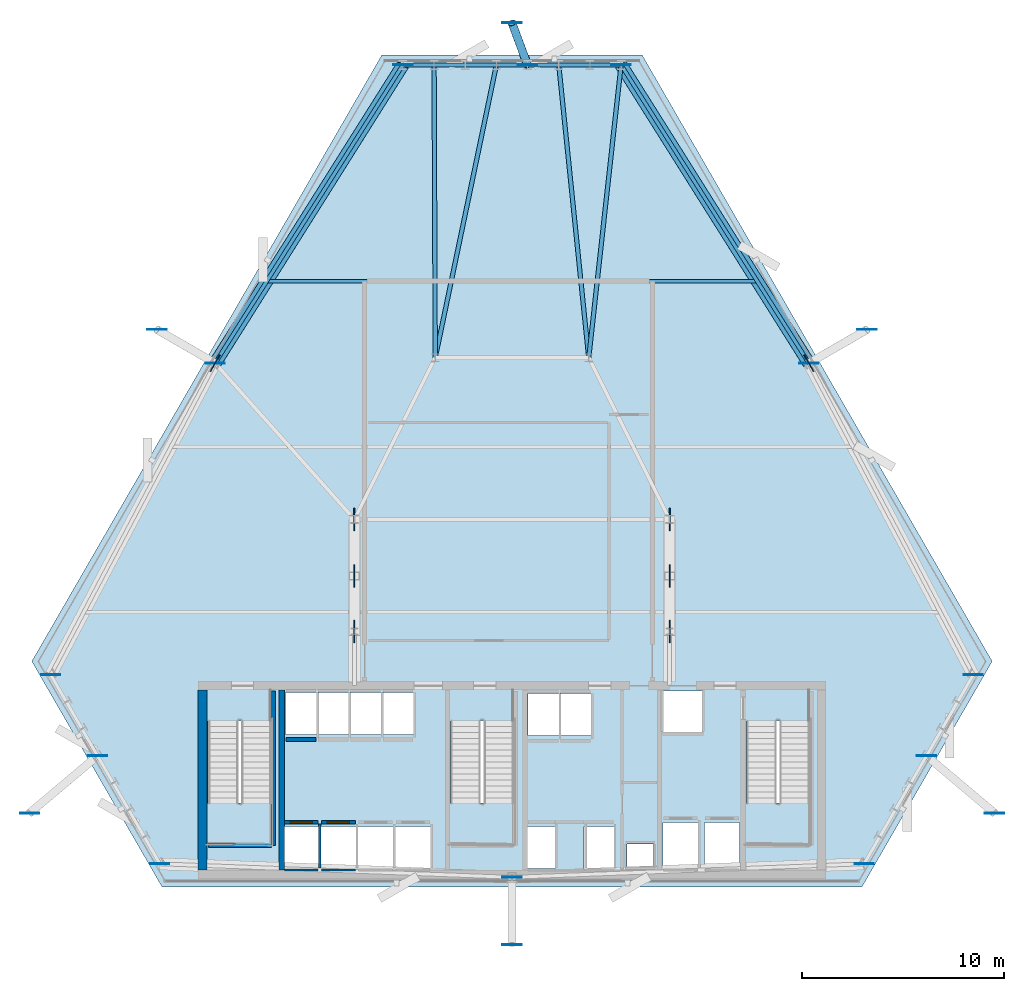
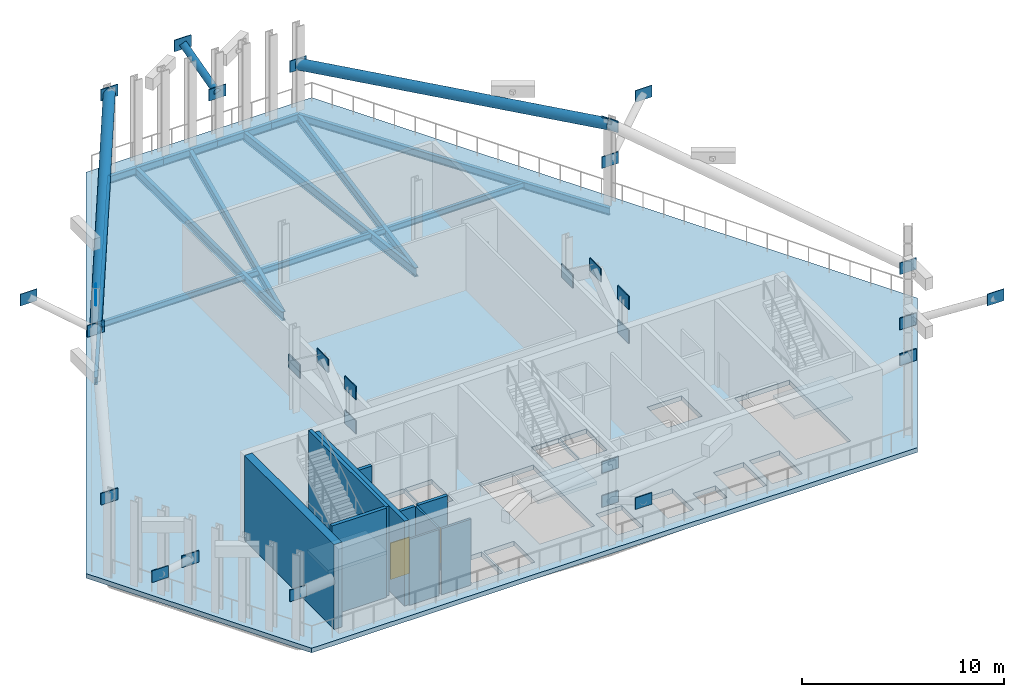
# One storey, part 3 of 11: 29 plates, 14 beams, 10 walls, 4 slabs, 3 members, 2 doors, 2 openings, 3 elements without a shape of their own.
"""IFC4 building model written with IfcOpenShell, lengths in metres."""

from ifc_helpers import new_model, si_unit, direction, frame, frame_2d, origin, origin_2d, place, context, subcontext, project, spatial, polyline, rectangle, hollow_circle, i_section, outline, extrude, material, layer, layer_set, material_profile, profile_set, type_object, element, fill, aggregate, save


model = new_model("IFC4")

# Units and contexts
model_context = context("Model", 3, precision=1e-05, world=origin(), true_north=direction((0.0, 1.0)))
body_context = subcontext(model_context, "Body", "Model", "MODEL_VIEW")
ifc_project = project(units=[si_unit("LENGTHUNIT", "METRE"), si_unit("AREAUNIT", "SQUARE_METRE"), si_unit("VOLUMEUNIT", "CUBIC_METRE"), si_unit("PLANEANGLEUNIT", "RADIAN"), si_unit("MASSUNIT", "GRAM", prefix="KILO")], contexts=[model_context])

# Site, building, storey
site_placement = place(None, origin())
site = spatial("IfcSite", under=ifc_project, at=site_placement, CompositionType="ELEMENT")
building_placement = place(site_placement, origin())
building = spatial("IfcBuilding", under=site, at=building_placement, Name="Ndaravel Arena Tower", CompositionType="ELEMENT")
storey_placement = place(building_placement, frame((0.0, 0.0, 112.0)))
storey = spatial("IfcBuildingStorey", under=building, at=storey_placement, Name="L26", CompositionType="ELEMENT", Elevation=112.0)

# Beams
ifc_material_1 = material(Name="Steel S355", Category="steel")
ifc_material_profile_1 = material_profile(ifc_material_1, i_section(OverallWidth=0.210693359375, OverallDepth=0.53955078125, WebThickness=0.01171875, FlangeThickness=0.018798828125, FilletRadius=0.0126953125, at=origin_2d()), Name="UB 533x210x109")
ifc_profile_set_1 = profile_set([ifc_material_profile_1], Name="Steel S355")
beam_type_1 = type_object("IfcBeamType", Name="BM-GIRD-UB533", PredefinedType="BEAM", material=ifc_profile_set_1)
beam_1_placement = place(storey_placement, frame((47.401611328125, 45.7041015625, -0.5498046875), z_axis=(-0.1097539039, -0.993958792193, 0.0), x_axis=(0.993958792193, -0.1097539039, 0.0)))
element("IfcBeam", 1, at=beam_1_placement, inside=storey, type_object=beam_type_1, Name="L26 Radial Floor Girder FG-11", PredefinedType="BEAM", context=body_context, shape_type="SweptSolid", body=[
    extrude(i_section(OverallWidth=0.210693359375, OverallDepth=0.53955078125, WebThickness=0.01171875, FlangeThickness=0.018798828125, FilletRadius=0.0126953125, at=origin_2d()), origin(), (0.0, 0.0, 1.0), 14.59228515625),
])
beam_2_placement = place(storey_placement, frame((44.31494140625, 45.7041015625, -0.5498046875), z_axis=(0.101859333982, -0.994798811861, 0.0), x_axis=(0.994798811861, 0.101859333982, 0.0)))
element("IfcBeam", 2, at=beam_2_placement, inside=storey, type_object=beam_type_1, Name="L26 Radial Floor Girder FG-13", PredefinedType="BEAM", context=body_context, shape_type="SweptSolid", body=[
    extrude(i_section(OverallWidth=0.210693359375, OverallDepth=0.53955078125, WebThickness=0.01171875, FlangeThickness=0.018798828125, FilletRadius=0.0126953125, at=origin_2d()), origin(), (0.0, 0.0, 1.0), 14.580078125),
])
beam_3_placement = place(storey_placement, frame((41.228271484375, 45.7041015625, -0.5498046875), z_axis=(-0.204382585692, -0.978891086212, 0.0), x_axis=(0.978891086212, -0.204382585692, 0.0)))
element("IfcBeam", 3, at=beam_3_placement, inside=storey, type_object=beam_type_1, Name="L26 Radial Floor Girder FG-15", PredefinedType="BEAM", context=body_context, shape_type="SweptSolid", body=[
    extrude(i_section(OverallWidth=0.210693359375, OverallDepth=0.53955078125, WebThickness=0.01171875, FlangeThickness=0.018798828125, FilletRadius=0.0126953125, at=origin_2d()), origin(), (0.0, 0.0, 1.0), 14.81689453125),
])
beam_4_placement = place(storey_placement, frame((38.1416015625, 45.7041015625, -0.5498046875), z_axis=(0.00402292693, -0.999991907997, 0.0), x_axis=(0.999991907997, 0.00402292693, 0.0)))
element("IfcBeam", 4, at=beam_4_placement, inside=storey, type_object=beam_type_1, Name="L26 Radial Floor Girder FG-17", PredefinedType="BEAM", context=body_context, shape_type="SweptSolid", body=[
    extrude(i_section(OverallWidth=0.210693359375, OverallDepth=0.53955078125, WebThickness=0.01171875, FlangeThickness=0.018798828125, FilletRadius=0.0126953125, at=origin_2d()), origin(), (0.0, 0.0, 1.0), 14.504150390625),
])
ifc_material_2 = material(Name="Steel S355", Category="steel")
ifc_material_profile_2 = material_profile(ifc_material_2, i_section(OverallWidth=0.172119140625, OverallDepth=0.35791015625, WebThickness=0.008056640625, FlangeThickness=0.012939453125, FilletRadius=0.01025390625, at=origin_2d()), Name="UB 356x171x57")
ifc_profile_set_2 = profile_set([ifc_material_profile_2], Name="Steel S355")
beam_type_2 = type_object("IfcBeamType", Name="BM-JOIST-UB356", PredefinedType="JOIST", material=ifc_profile_set_2)
beam_5_placement = place(storey_placement, frame((29.85888671875, 35.0, -0.458984375), z_axis=(1.0, 0.0, 0.0), x_axis=(0.0, 1.0, 0.0)))
element("IfcBeam", 5, at=beam_5_placement, inside=storey, type_object=beam_type_2, Name="L26 Composite Floor Joist FJ-03", PredefinedType="JOIST", context=body_context, shape_type="SweptSolid", body=[
    extrude(i_section(OverallWidth=0.172119140625, OverallDepth=0.35791015625, WebThickness=0.008056640625, FlangeThickness=0.012939453125, FilletRadius=0.01025390625, at=origin_2d()), origin(), (0.0, 0.0, 1.0), 24.2822265625),
])
ifc_material_3 = material(Name="Steel S355", Category="steel")
ifc_material_profile_3 = material_profile(ifc_material_3, i_section(OverallWidth=0.18994140625, OverallDepth=0.449951171875, WebThickness=0.009521484375, FlangeThickness=0.0146484375, FilletRadius=0.02099609375, at=origin_2d()), Name="IPE 450")
ifc_profile_set_3 = profile_set([ifc_material_profile_3], Name="Steel S355")
beam_type_3 = type_object("IfcBeamType", Name="BM-SPAN-IPE450", PredefinedType="SPANDREL", material=ifc_profile_set_3)
beam_6_placement = place(storey_placement, frame((56.6982421875, 30.938232421875, -0.5048828125), z_axis=(-0.532796941141, 0.846243120806, 0.0), x_axis=(-0.846243120806, -0.532796941141, 0.0)))
element("IfcBeam", 6, at=beam_6_placement, inside=storey, type_object=beam_type_3, Name="L26 Perimeter Spandrel Beam SP-10", PredefinedType="SPANDREL", context=body_context, shape_type="SweptSolid", body=[
    extrude(i_section(OverallWidth=0.18994140625, OverallDepth=0.449951171875, WebThickness=0.009521484375, FlangeThickness=0.0146484375, FilletRadius=0.02099609375, at=origin_2d()), origin(), (0.0, 0.0, 1.0), 17.44873046875),
])
beam_7_placement = place(storey_placement, frame((47.401611328125, 45.7041015625, -0.5048828125), z_axis=(-1.0, 0.0, 0.0), x_axis=(0.0, -1.0, 0.0)))
element("IfcBeam", 7, at=beam_7_placement, inside=storey, type_object=beam_type_3, Name="L26 Perimeter Spandrel Beam SP-11", PredefinedType="SPANDREL", context=body_context, shape_type="SweptSolid", body=[
    extrude(i_section(OverallWidth=0.18994140625, OverallDepth=0.449951171875, WebThickness=0.009521484375, FlangeThickness=0.0146484375, FilletRadius=0.02099609375, at=origin_2d()), origin(), (0.0, 0.0, 1.0), 1.543212890625),
])
beam_8_placement = place(storey_placement, frame((45.8583984375, 45.7041015625, -0.5048828125), z_axis=(-1.0, 0.0, 0.0), x_axis=(0.0, -1.0, 0.0)))
element("IfcBeam", 8, at=beam_8_placement, inside=storey, type_object=beam_type_3, Name="L26 Perimeter Spandrel Beam SP-12", PredefinedType="SPANDREL", context=body_context, shape_type="SweptSolid", body=[
    extrude(i_section(OverallWidth=0.18994140625, OverallDepth=0.449951171875, WebThickness=0.009521484375, FlangeThickness=0.0146484375, FilletRadius=0.02099609375, at=origin_2d()), origin(), (0.0, 0.0, 1.0), 1.54345703125),
])
beam_9_placement = place(storey_placement, frame((44.31494140625, 45.7041015625, -0.5048828125), z_axis=(-1.0, 0.0, 0.0), x_axis=(0.0, -1.0, 0.0)))
element("IfcBeam", 9, at=beam_9_placement, inside=storey, type_object=beam_type_3, Name="L26 Perimeter Spandrel Beam SP-13", PredefinedType="SPANDREL", context=body_context, shape_type="SweptSolid", body=[
    extrude(i_section(OverallWidth=0.18994140625, OverallDepth=0.449951171875, WebThickness=0.009521484375, FlangeThickness=0.0146484375, FilletRadius=0.02099609375, at=origin_2d()), origin(), (0.0, 0.0, 1.0), 1.543212890625),
])
beam_10_placement = place(storey_placement, frame((42.771728515625, 45.7041015625, -0.5048828125), z_axis=(-1.0, 0.0, 0.0), x_axis=(0.0, -1.0, 0.0)))
element("IfcBeam", 10, at=beam_10_placement, inside=storey, type_object=beam_type_3, Name="L26 Perimeter Spandrel Beam SP-14", PredefinedType="SPANDREL", context=body_context, shape_type="SweptSolid", body=[
    extrude(i_section(OverallWidth=0.18994140625, OverallDepth=0.449951171875, WebThickness=0.009521484375, FlangeThickness=0.0146484375, FilletRadius=0.02099609375, at=origin_2d()), origin(), (0.0, 0.0, 1.0), 1.54345703125),
])
beam_11_placement = place(storey_placement, frame((41.228271484375, 45.7041015625, -0.5048828125), z_axis=(-1.0, 0.0, 0.0), x_axis=(0.0, -1.0, 0.0)))
element("IfcBeam", 11, at=beam_11_placement, inside=storey, type_object=beam_type_3, Name="L26 Perimeter Spandrel Beam SP-15", PredefinedType="SPANDREL", context=body_context, shape_type="SweptSolid", body=[
    extrude(i_section(OverallWidth=0.18994140625, OverallDepth=0.449951171875, WebThickness=0.009521484375, FlangeThickness=0.0146484375, FilletRadius=0.02099609375, at=origin_2d()), origin(), (0.0, 0.0, 1.0), 1.543212890625),
])
beam_12_placement = place(storey_placement, frame((39.68505859375, 45.7041015625, -0.5048828125), z_axis=(-1.0, 0.0, 0.0), x_axis=(0.0, -1.0, 0.0)))
element("IfcBeam", 12, at=beam_12_placement, inside=storey, type_object=beam_type_3, Name="L26 Perimeter Spandrel Beam SP-16", PredefinedType="SPANDREL", context=body_context, shape_type="SweptSolid", body=[
    extrude(i_section(OverallWidth=0.18994140625, OverallDepth=0.449951171875, WebThickness=0.009521484375, FlangeThickness=0.0146484375, FilletRadius=0.02099609375, at=origin_2d()), origin(), (0.0, 0.0, 1.0), 1.54345703125),
])
beam_13_placement = place(storey_placement, frame((38.1416015625, 45.7041015625, -0.5048828125), z_axis=(-1.0, 0.0, 0.0), x_axis=(0.0, -1.0, 0.0)))
element("IfcBeam", 13, at=beam_13_placement, inside=storey, type_object=beam_type_3, Name="L26 Perimeter Spandrel Beam SP-17", PredefinedType="SPANDREL", context=body_context, shape_type="SweptSolid", body=[
    extrude(i_section(OverallWidth=0.18994140625, OverallDepth=0.449951171875, WebThickness=0.009521484375, FlangeThickness=0.0146484375, FilletRadius=0.02099609375, at=origin_2d()), origin(), (0.0, 0.0, 1.0), 1.543212890625),
])
beam_14_placement = place(storey_placement, frame((36.598388671875, 45.7041015625, -0.5048828125), z_axis=(-0.532796941141, -0.846243120806, 0.0), x_axis=(0.846243120806, -0.532796941141, 0.0)))
element("IfcBeam", 14, at=beam_14_placement, inside=storey, type_object=beam_type_3, Name="L26 Perimeter Spandrel Beam SP-18", PredefinedType="SPANDREL", context=body_context, shape_type="SweptSolid", body=[
    extrude(i_section(OverallWidth=0.18994140625, OverallDepth=0.449951171875, WebThickness=0.009521484375, FlangeThickness=0.0146484375, FilletRadius=0.02099609375, at=origin_2d()), origin(), (0.0, 0.0, 1.0), 17.44873046875),
])

# Members
ifc_material_4 = material(Name="Steel S460", Category="steel")
ifc_material_profile_4 = material_profile(ifc_material_4, hollow_circle(Radius=0.304931640625, WallThickness=0.030029296875, at=origin_2d()), Name="CHS 610x30")
ifc_profile_set_4 = profile_set([ifc_material_profile_4], Name="Steel S460")
member_type_1 = type_object("IfcMemberType", Name="MEM-BT-DIAG1", PredefinedType="BRACE", material=ifc_profile_set_4)
for number, where, z_axis, x_axis, name in (
    (15, (56.6982421875, 30.938232421875, 4.739990234375), (-0.5291219891, 0.840406182483, -0.117249175242), (-0.846243120806, -0.532796941141, 0.0), "Belt Truss BT-1 Diagonal 10"),
    (16, (36.598388671875, 45.7041015625, 4.739990234375), (-0.5291219891, -0.840406182483, -0.117249175242), (0.846243120806, -0.532796941141, 0.0), "Belt Truss BT-1 Diagonal 18"),
):
    element("IfcMember", number, at=place(storey_placement, frame(where, z_axis=z_axis, x_axis=x_axis)), inside=storey, type_object=member_type_1, Name=name, PredefinedType="BRACE", context=body_context, shape_type="SweptSolid", body=[
        extrude(hollow_circle(Radius=0.304931640625, WallThickness=0.030029296875, at=origin_2d()), origin(), (0.0, 0.0, 1.0), 17.56982421875),
    ])
ifc_material_5 = material(Name="Steel S460", Category="steel")
ifc_material_profile_5 = material_profile(ifc_material_5, hollow_circle(Radius=0.203125, WallThickness=0.01611328125, at=origin_2d()), Name="CHS 406.4x16")
ifc_profile_set_5 = profile_set([ifc_material_profile_5], Name="Steel S460")
member_type_2 = type_object("IfcMemberType", Name="MEM-STAR-STRUT2", PredefinedType="STRUT", material=ifc_profile_set_5)
member_placement = place(storey_placement, frame((42.771728515625, 45.7041015625, 2.580078125), z_axis=(-0.25895566206, 0.69789411107, 0.66774678945), x_axis=(-0.937540168515, -0.347877036351, 0.0)))
element("IfcMember", 17, at=member_placement, inside=storey, type_object=member_type_2, Name="L27 Star Soffit Raking Strut SS-5", PredefinedType="STRUT", context=body_context, shape_type="SweptSolid", body=[
    extrude(hollow_circle(Radius=0.203125, WallThickness=0.01611328125, at=origin_2d()), origin(), (0.0, 0.0, 1.0), 2.980224609375),
])

# Plates
ifc_material_6 = material(Name="Steel S460", Category="steel")
ifc_layer_1 = layer(ifc_material_6, 0.044921875)
ifc_layer_set_1 = layer_set([ifc_layer_1], Name="Steel S460")
plate_type_1 = type_object("IfcPlateType", Name="PLT-GUSSET-BN1", PredefinedType="USERDEFINED", material=ifc_layer_set_1)
for number, where, z_axis, x_axis, name in (
    (18, (42.0, 5.47998046875, 4.39013671875), (0.0, 0.0, 1.0), (1.0, 0.0, 0.0), "Belt Truss Node Gusset BN-1.01"),
    (19, (56.6982421875, 30.938232421875, 4.39013671875), (0.0, 0.0, 1.0), (-0.5, 0.866025403784, 0.0), "Belt Truss Node Gusset BN-1.10"),
    (20, (27.3017578125, 30.938232421875, 4.39013671875), (0.0, 0.0, 1.0), (0.5, 0.866025403784, 0.0), "Belt Truss Node Gusset BN-1.19"),
    (21, (42.0, 5.47998046875, 2.330078125), (0.0, 0.0, 1.0), (1.0, 0.0, 0.0), "L26 Brace End Gusset Plate EGP-021"),
    (22, (59.435791015625, 6.148193359375, 4.39013671875), (0.0, 0.0, 1.0), (1.0, 0.0, 0.0), "L26 Brace End Gusset Plate EGP-022"),
    (23, (64.83740234375, 15.50439453125, 2.330078125), (0.0, 0.0, 1.0), (1.0, 0.0, 0.0), "L26 Brace End Gusset Plate EGP-023"),
    (24, (47.401611328125, 45.7041015625, 2.330078125), (0.0, 0.0, 1.0), (1.0, 0.0, 0.0), "L26 Brace End Gusset Plate EGP-024"),
    (25, (36.598388671875, 45.7041015625, 4.39013671875), (0.0, 0.0, 1.0), (1.0, 0.0, 0.0), "L26 Brace End Gusset Plate EGP-025"),
    (26, (27.3017578125, 30.938232421875, 2.330078125), (0.0, 0.0, 1.0), (1.0, 0.0, 0.0), "L26 Brace End Gusset Plate EGP-026"),
    (27, (19.16259765625, 15.50439453125, 4.39013671875), (0.0, 0.0, 1.0), (1.0, 0.0, 0.0), "L26 Brace End Gusset Plate EGP-027"),
    (28, (24.564208984375, 6.148193359375, 2.330078125), (0.0, 0.0, 1.0), (1.0, 0.0, 0.0), "L26 Brace End Gusset Plate EGP-028"),
    (29, (21.4775390625, 11.49462890625, 2.22998046875), (0.0, 0.0, 1.0), (1.0, 0.0, 0.0), "L26 Brace End Gusset Plate EGP-029"),
    (30, (18.113525390625, 8.661376953125, 4.22021484375), (0.0, 0.0, 1.0), (1.0, 0.0, 0.0), "L26 Brace End Gusset Plate EGP-030"),
    (31, (42.0, 2.14990234375, 4.22021484375), (0.0, 0.0, 1.0), (1.0, 0.0, 0.0), "L26 Brace End Gusset Plate EGP-031"),
    (32, (62.5224609375, 11.49462890625, 2.22998046875), (0.0, 0.0, 1.0), (1.0, 0.0, 0.0), "L26 Brace End Gusset Plate EGP-032"),
    (33, (65.886474609375, 8.661376953125, 4.22021484375), (0.0, 0.0, 1.0), (1.0, 0.0, 0.0), "L26 Brace End Gusset Plate EGP-033"),
    (34, (56.6982421875, 30.938232421875, 2.22998046875), (0.0, 0.0, 1.0), (1.0, 0.0, 0.0), "L26 Brace End Gusset Plate EGP-034"),
    (35, (59.582275390625, 32.603271484375, 4.22021484375), (0.0, 0.0, 1.0), (1.0, 0.0, 0.0), "L26 Brace End Gusset Plate EGP-035"),
    (36, (42.771728515625, 45.7041015625, 2.22998046875), (0.0, 0.0, 1.0), (1.0, 0.0, 0.0), "L26 Brace End Gusset Plate EGP-036"),
    (37, (42.0, 47.783935546875, 4.22021484375), (0.0, 0.0, 1.0), (1.0, 0.0, 0.0), "L26 Brace End Gusset Plate EGP-037"),
    (38, (24.417724609375, 32.603271484375, 4.22021484375), (0.0, 0.0, 1.0), (1.0, 0.0, 0.0), "L26 Brace End Gusset Plate EGP-038"),
):
    element("IfcPlate", number, at=place(storey_placement, frame(where, z_axis=z_axis, x_axis=x_axis)), inside=storey, type_object=plate_type_1, Name=name, ObjectType="GUSSET_PLATE", PredefinedType="USERDEFINED", context=body_context, shape_type="SweptSolid", body=[
        extrude(rectangle(XDim=0.949951171875, YDim=0.044921875, at=origin_2d()), origin(), (0.0, 0.0, 1.0), 0.699951171875),
    ])
ifc_material_7 = material(Name="Steel S460", Category="steel")
ifc_layer_2 = layer(ifc_material_7, 0.050048828125)
ifc_layer_set_2 = layer_set([ifc_layer_2], Name="Steel S460")
plate_type_2 = type_object("IfcPlateType", Name="PLT-GUSSET-ON1", PredefinedType="USERDEFINED", material=ifc_layer_set_2)
for number, where, z_axis, x_axis, name in (
    (39, (34.199951171875, 17.64990234375, 4.33984375), (0.0, 0.0, 1.0), (1.0, 0.0, 0.0), "Outrigger Embedded Node ON-1.1"),
    (40, (49.800048828125, 17.64990234375, 4.33984375), (0.0, 0.0, 1.0), (1.0, 0.0, 0.0), "Outrigger Embedded Node ON-1.2"),
    (41, (34.199951171875, 17.64990234375, 2.27978515625), (0.0, 0.0, 1.0), (1.0, 0.0, 0.0), "L26 Brace End Gusset Plate EGP-015"),
    (42, (34.199951171875, 20.39990234375, 4.33984375), (0.0, 0.0, 1.0), (1.0, 0.0, 0.0), "L26 Brace End Gusset Plate EGP-016"),
    (43, (34.199951171875, 23.199951171875, 2.27978515625), (0.0, 0.0, 1.0), (1.0, 0.0, 0.0), "L26 Brace End Gusset Plate EGP-017"),
    (44, (49.800048828125, 17.64990234375, 2.27978515625), (0.0, 0.0, 1.0), (1.0, 0.0, 0.0), "L26 Brace End Gusset Plate EGP-018"),
    (45, (49.800048828125, 20.39990234375, 4.33984375), (0.0, 0.0, 1.0), (1.0, 0.0, 0.0), "L26 Brace End Gusset Plate EGP-019"),
    (46, (49.800048828125, 23.199951171875, 2.27978515625), (0.0, 0.0, 1.0), (1.0, 0.0, 0.0), "L26 Brace End Gusset Plate EGP-020"),
):
    element("IfcPlate", number, at=place(storey_placement, frame(where, z_axis=z_axis, x_axis=x_axis)), inside=storey, type_object=plate_type_2, Name=name, ObjectType="GUSSET_PLATE", PredefinedType="USERDEFINED", context=body_context, shape_type="SweptSolid", body=[
        extrude(rectangle(XDim=0.050048828125, YDim=1.10009765625, at=origin_2d()), origin(), (0.0, 0.0, 1.0), 0.800048828125),
    ])

# Stair, slab
ifc_material_8 = material(Name="Concrete C40/50", Category="concrete")
stair_type = type_object("IfcStairType", Name="STAIR-CORE-HT", PredefinedType="HALF_TURN_STAIR", material=ifc_material_8)
stair_1_placement = place(storey_placement, origin())
stair_1 = element("IfcStair", 47, at=stair_1_placement, inside=storey, type_object=stair_type, Name="L26 ST-1", PredefinedType="HALF_TURN_STAIR")
ifc_material_9 = material(Name="Concrete C40/50", Category="concrete")
ifc_layer_3 = layer(ifc_material_9, 0.199951171875)
ifc_layer_set_3 = layer_set([ifc_layer_3], Name="Concrete C40/50")
slab_type_1 = type_object("IfcSlabType", Name="SLAB-STAIR-LANDING", PredefinedType="LANDING", material=ifc_layer_set_3)
slab_1_placement = place(storey_placement, frame((0.0, 0.0, 2.5)))
slab_1 = element("IfcSlab", 48, at=slab_1_placement, type_object=slab_type_1, Name="ST-1 landing 1", PredefinedType="LANDING", context=body_context, shape_type="SweptSolid", body=[
    extrude(outline(polyline([(26.81005859375, 9.155029296875), (26.81005859375, 7.070068359375), (30.169921875, 7.070068359375), (30.169921875, 9.155029296875), (26.81005859375, 9.155029296875)])), origin(), (0.0, 0.0, 1.0), 0.199951171875),
])
aggregate(stair_1, [slab_1])

stair_2_placement = place(storey_placement, origin())
stair_2 = element("IfcStair", 49, at=stair_2_placement, inside=storey, type_object=stair_type, Name="L26 ST-2", PredefinedType="HALF_TURN_STAIR")
slab_2_placement = place(storey_placement, frame((0.0, 0.0, 2.5)))
slab_2 = element("IfcSlab", 50, at=slab_2_placement, type_object=slab_type_1, Name="ST-2 landing 1", PredefinedType="LANDING", context=body_context, shape_type="SweptSolid", body=[
    extrude(outline(polyline([(38.81005859375, 9.155029296875), (38.81005859375, 7.070068359375), (42.169921875, 7.070068359375), (42.169921875, 9.155029296875), (38.81005859375, 9.155029296875)])), origin(), (0.0, 0.0, 1.0), 0.199951171875),
])
aggregate(stair_2, [slab_2])

stair_3_placement = place(storey_placement, origin())
stair_3 = element("IfcStair", 51, at=stair_3_placement, inside=storey, type_object=stair_type, Name="L26 ST-3", PredefinedType="HALF_TURN_STAIR")
slab_3_placement = place(storey_placement, frame((0.0, 0.0, 2.5)))
slab_3 = element("IfcSlab", 52, at=slab_3_placement, type_object=slab_type_1, Name="ST-3 landing 1", PredefinedType="LANDING", context=body_context, shape_type="SweptSolid", body=[
    extrude(outline(polyline([(53.4599609375, 9.155029296875), (53.4599609375, 7.070068359375), (56.820068359375, 7.070068359375), (56.820068359375, 9.155029296875), (53.4599609375, 9.155029296875)])), origin(), (0.0, 0.0, 1.0), 0.199951171875),
])
aggregate(stair_3, [slab_3])

# Slab
ifc_material_10 = material(Name="Concrete C40/50", Category="concrete")
ifc_layer_4 = layer(ifc_material_10, 0.280029296875)
ifc_layer_set_4 = layer_set([ifc_layer_4], Name="Concrete C40/50")
slab_type_2 = type_object("IfcSlabType", Name="SLAB-TRANS-280", PredefinedType="FLOOR", material=ifc_layer_set_4)
slab_4_placement = place(storey_placement, frame((0.0, 0.0, -0.280029296875)))
element("IfcSlab", 53, at=slab_4_placement, inside=storey, type_object=slab_type_2, Name="L26 Structural Floor Slab", PredefinedType="FLOOR", context=body_context, shape_type="SweptSolid", body=[
    extrude(outline(polyline([(18.222412109375, 16.172607421875), (24.6728515625, 5.0), (59.3271484375, 5.0), (65.777587890625, 16.172607421875), (48.450439453125, 46.18408203125), (35.549560546875, 46.18408203125), (18.222412109375, 16.172607421875)]), holes=[polyline([(26.949951171875, 13.215087890625), (26.949951171875, 7.14990234375), (30.090087890625, 7.14990234375), (30.090087890625, 13.215087890625), (26.949951171875, 13.215087890625)]), polyline([(38.949951171875, 13.215087890625), (38.949951171875, 7.14990234375), (42.090087890625, 7.14990234375), (42.090087890625, 13.215087890625), (38.949951171875, 13.215087890625)]), polyline([(53.60009765625, 13.215087890625), (53.60009765625, 7.14990234375), (56.739990234375, 7.14990234375), (56.739990234375, 13.215087890625), (53.60009765625, 13.215087890625)]), polyline([(30.68505859375, 5.909912109375), (32.4150390625, 5.909912109375), (32.4150390625, 7.989990234375), (30.68505859375, 7.989990234375), (30.68505859375, 5.909912109375)]), polyline([(32.534912109375, 5.909912109375), (34.264892578125, 5.909912109375), (34.264892578125, 7.989990234375), (32.534912109375, 7.989990234375), (32.534912109375, 5.909912109375)]), polyline([(34.385009765625, 5.909912109375), (36.114990234375, 5.909912109375), (36.114990234375, 7.989990234375), (34.385009765625, 7.989990234375), (34.385009765625, 5.909912109375)]), polyline([(36.235107421875, 5.909912109375), (37.965087890625, 5.909912109375), (37.965087890625, 7.989990234375), (36.235107421875, 7.989990234375), (36.235107421875, 5.909912109375)]), polyline([(30.784912109375, 12.56005859375), (32.31494140625, 12.56005859375), (32.31494140625, 14.639892578125), (30.784912109375, 14.639892578125), (30.784912109375, 12.56005859375)]), polyline([(32.385009765625, 12.56005859375), (33.9150390625, 12.56005859375), (33.9150390625, 14.639892578125), (32.385009765625, 14.639892578125), (32.385009765625, 12.56005859375)]), polyline([(33.985107421875, 12.56005859375), (35.514892578125, 12.56005859375), (35.514892578125, 14.639892578125), (33.985107421875, 14.639892578125), (33.985107421875, 12.56005859375)]), polyline([(35.5849609375, 12.56005859375), (37.114990234375, 12.56005859375), (37.114990234375, 14.639892578125), (35.5849609375, 14.639892578125), (35.5849609375, 12.56005859375)]), polyline([(42.659912109375, 5.909912109375), (44.139892578125, 5.909912109375), (44.139892578125, 7.989990234375), (42.659912109375, 7.989990234375), (42.659912109375, 5.909912109375)]), polyline([(45.56005859375, 5.909912109375), (47.0400390625, 5.909912109375), (47.0400390625, 7.989990234375), (45.56005859375, 7.989990234375), (45.56005859375, 5.909912109375)]), polyline([(42.784912109375, 12.510009765625), (44.31494140625, 12.510009765625), (44.31494140625, 14.590087890625), (42.784912109375, 14.590087890625), (42.784912109375, 12.510009765625)]), polyline([(44.385009765625, 12.510009765625), (45.9150390625, 12.510009765625), (45.9150390625, 14.590087890625), (44.385009765625, 14.590087890625), (44.385009765625, 12.510009765625)]), polyline([(49.485107421875, 5.909912109375), (51.215087890625, 5.909912109375), (51.215087890625, 8.18994140625), (49.485107421875, 8.18994140625), (49.485107421875, 5.909912109375)]), polyline([(51.534912109375, 5.909912109375), (53.264892578125, 5.909912109375), (53.264892578125, 8.18994140625), (51.534912109375, 8.18994140625), (51.534912109375, 5.909912109375)]), polyline([(49.4599609375, 12.68505859375), (51.43994140625, 12.68505859375), (51.43994140625, 14.715087890625), (49.4599609375, 14.715087890625), (49.4599609375, 12.68505859375)]), polyline([(47.699951171875, 6.0), (49.0, 6.0), (49.0, 7.139892578125), (47.699951171875, 7.139892578125), (47.699951171875, 6.0)])]), origin(), (0.0, 0.0, 1.0), 0.280029296875),
])

# Walls
ifc_material_11 = material(Name="Concrete C60/75", Category="concrete")
ifc_layer_5 = layer(ifc_material_11, 0.25)
ifc_layer_set_5 = layer_set([ifc_layer_5], Name="Concrete C60/75")
wall_type_1 = type_object("IfcWallType", Name="WALL-CORE-250", PredefinedType="SOLIDWALL", material=ifc_layer_set_5)
wall_1_placement = place(storey_placement, frame((30.60009765625, 5.85009765625, 0.0), z_axis=(0.0, 0.0, 1.0), x_axis=(0.0, 1.0, 0.0)))
element("IfcWall", 54, at=wall_1_placement, inside=storey, type_object=wall_type_1, Name="L26 Core Web Shear Wall 1", PredefinedType="SOLIDWALL", context=body_context, shape_type="SweptSolid", body=[
    extrude(rectangle(XDim=8.89990234375, YDim=0.25, at=frame_2d((4.449951171875, 0.0))), origin(), (0.0, 0.0, 1.0), 5.1201171875),
])
ifc_material_12 = material(Name="Concrete C60/75", Category="concrete")
ifc_layer_6 = layer(ifc_material_12, 0.449951171875)
ifc_layer_set_6 = layer_set([ifc_layer_6], Name="Concrete C60/75")
wall_type_2 = type_object("IfcWallType", Name="WALL-CORE-450", PredefinedType="SOLIDWALL", material=ifc_layer_set_6)
wall_2_placement = place(storey_placement, frame((26.675048828125, 5.85009765625, 0.0), z_axis=(0.0, 0.0, 1.0), x_axis=(0.0, 1.0, 0.0)))
element("IfcWall", 55, at=wall_2_placement, inside=storey, type_object=wall_type_2, Name="L26 Core West Shear Wall", PredefinedType="SOLIDWALL", context=body_context, shape_type="SweptSolid", body=[
    extrude(rectangle(XDim=8.89990234375, YDim=0.449951171875, at=frame_2d((4.449951171875, 0.0))), origin(), (0.0, 0.0, 1.0), 5.1201171875),
])
ifc_material_13 = material(Name="Concrete C40/50", Category="concrete")
ifc_layer_7 = layer(ifc_material_13, 0.1201171875)
ifc_layer_set_7 = layer_set([ifc_layer_7], Name="Concrete C40/50")
wall_type_3 = type_object("IfcWallType", Name="WALL-SHAFT-120", PredefinedType="SOLIDWALL", material=ifc_layer_set_7)
wall_3_placement = place(storey_placement, frame((30.72998046875, 5.840087890625, 0.0), z_axis=(0.0, 0.0, 1.0), x_axis=(1.0, 0.0, 0.0)))
element("IfcWall", 56, at=wall_3_placement, inside=storey, type_object=wall_type_3, Name="L26 PL-L1 Shaft Rear Wall", PredefinedType="SOLIDWALL", context=body_context, shape_type="SweptSolid", body=[
    extrude(rectangle(XDim=1.6650390625, YDim=0.1201171875, at=frame_2d((0.83251953125, 0.0))), origin(), (0.0, 0.0, 1.0), 3.989990234375),
])
wall_4_placement = place(storey_placement, frame((32.47509765625, 5.929931640625, 0.0), z_axis=(0.0, 0.0, 1.0), x_axis=(0.0, 1.0, 0.0)))
element("IfcWall", 57, at=wall_4_placement, inside=storey, type_object=wall_type_3, Name="L26 PL-L1 Shaft Side R Wall", PredefinedType="SOLIDWALL", context=body_context, shape_type="SweptSolid", body=[
    extrude(rectangle(XDim=2.18017578125, YDim=0.1201171875, at=frame_2d((1.090087890625, 0.0))), origin(), (0.0, 0.0, 1.0), 3.989990234375),
])
wall_5_placement = place(storey_placement, frame((32.554931640625, 5.840087890625, 0.0), z_axis=(0.0, 0.0, 1.0), x_axis=(1.0, 0.0, 0.0)))
element("IfcWall", 58, at=wall_5_placement, inside=storey, type_object=wall_type_3, Name="L26 PL-L2 Shaft Rear Wall", PredefinedType="SOLIDWALL", context=body_context, shape_type="SweptSolid", body=[
    extrude(rectangle(XDim=1.690185546875, YDim=0.1201171875, at=frame_2d((0.84521484375, 0.0))), origin(), (0.0, 0.0, 1.0), 3.989990234375),
])
ifc_material_14 = material(Name="Concrete C40/50", Category="concrete")
ifc_layer_8 = layer(ifc_material_14, 0.199951171875)
ifc_layer_set_8 = layer_set([ifc_layer_8], Name="Concrete C40/50")
wall_type_4 = type_object("IfcWallType", Name="WALL-SHAFT-200", PredefinedType="SOLIDWALL", material=ifc_layer_set_8)
wall_6_placement = place(storey_placement, frame((30.18994140625, 14.699951171875, 0.0), z_axis=(0.0, 0.0, 1.0), x_axis=(0.0, -1.0, 0.0)))
element("IfcWall", 59, at=wall_6_placement, inside=storey, type_object=wall_type_4, Name="L26 ST-1 Structural Shaft Wall Right", PredefinedType="SOLIDWALL", context=body_context, shape_type="SweptSolid", body=[
    extrude(rectangle(XDim=7.64990234375, YDim=0.199951171875, at=frame_2d((3.824951171875, 0.0))), origin(), (0.0, 0.0, 1.0), 5.39990234375),
])
wall_7_placement = place(storey_placement, frame((26.969970703125, 7.050048828125, 0.0), z_axis=(0.0, 0.0, 1.0), x_axis=(1.0, 0.0, 0.0)))
element("IfcWall", 60, at=wall_7_placement, inside=storey, type_object=wall_type_4, Name="L26 ST-1 Structural Shaft Wall Far", PredefinedType="SOLIDWALL", context=body_context, shape_type="SweptSolid", body=[
    extrude(rectangle(XDim=3.114990234375, YDim=0.199951171875, at=frame_2d((1.5576171875, 0.0))), origin(), (0.0, 0.0, 1.0), 5.39990234375),
])

# Wall, opening, door
wall_8_placement = place(storey_placement, frame((30.72998046875, 8.199951171875, 0.0), z_axis=(0.0, 0.0, 1.0), x_axis=(1.0, 0.0, 0.0)))
wall_8 = element("IfcWall", 61, at=wall_8_placement, inside=storey, type_object=wall_type_4, Name="L26 PL-L1 Shaft Landing Wall", PredefinedType="SOLIDWALL", context=body_context, shape_type="SweptSolid", body=[
    extrude(rectangle(XDim=1.6650390625, YDim=0.179931640625, at=frame_2d((0.83251953125, 0.0))), origin(), (0.0, 0.0, 1.0), 3.989990234375),
])
opening_1_placement = place(wall_8_placement, frame((0.282470703125, 0.0, 0.0)))
opening_1 = element("IfcOpeningElement", 62, at=opening_1_placement, cuts=wall_8, Name="Opening LD-01", PredefinedType="OPENING", context=body_context, shape_type="SweptSolid", body=[
    extrude(rectangle(XDim=1.10009765625, YDim=2.199951171875, at=frame_2d((0.550048828125, 1.10009765625))), frame((0.0, 0.08984375, 0.0), z_axis=(0.0, -1.0, 0.0), x_axis=(1.0, 0.0, 0.0)), (0.0, 0.0, 1.0), 0.179931640625),
])
ifc_material_15 = material(Name="Steel S355", Category="steel")
door_type = type_object("IfcDoorType", Name="DT-06-LIFT-1100", OperationType="SLIDING_TO_LEFT", PredefinedType="DOOR", material=ifc_material_15)
door_1_placement = place(opening_1_placement, origin())
door_1 = element("IfcDoor", 63, at=door_1_placement, inside=storey, type_object=door_type, Name="L26 Lift PL-L1 Sliding Landing Door", OperationType="SLIDING_TO_LEFT", OverallHeight=2.199951171875, OverallWidth=1.10009765625, PredefinedType="DOOR", context=body_context, shape_type="SweptSolid", body=[
    extrude(rectangle(XDim=1.10009765625, YDim=2.199951171875, at=frame_2d((0.550048828125, 1.10009765625))), frame((0.0, 0.02490234375, 0.0), z_axis=(0.0, -1.0, 0.0), x_axis=(1.0, 0.0, 0.0)), (0.0, 0.0, 1.0), 0.050048828125),
])
fill(opening_1, door_1)

wall_9_placement = place(storey_placement, frame((32.554931640625, 8.199951171875, 0.0), z_axis=(0.0, 0.0, 1.0), x_axis=(1.0, 0.0, 0.0)))
wall_9 = element("IfcWall", 64, at=wall_9_placement, inside=storey, type_object=wall_type_4, Name="L26 PL-L2 Shaft Landing Wall", PredefinedType="SOLIDWALL", context=body_context, shape_type="SweptSolid", body=[
    extrude(rectangle(XDim=1.690185546875, YDim=0.179931640625, at=frame_2d((0.84521484375, 0.0))), origin(), (0.0, 0.0, 1.0), 3.989990234375),
])
opening_2_placement = place(wall_9_placement, frame((0.294921875, 0.0, 0.0)))
opening_2 = element("IfcOpeningElement", 65, at=opening_2_placement, cuts=wall_9, Name="Opening LD-01", PredefinedType="OPENING", context=body_context, shape_type="SweptSolid", body=[
    extrude(rectangle(XDim=1.10009765625, YDim=2.199951171875, at=frame_2d((0.550048828125, 1.10009765625))), frame((0.0, 0.08984375, 0.0), z_axis=(0.0, -1.0, 0.0), x_axis=(1.0, 0.0, 0.0)), (0.0, 0.0, 1.0), 0.179931640625),
])
door_2_placement = place(opening_2_placement, origin())
door_2 = element("IfcDoor", 66, at=door_2_placement, inside=storey, type_object=door_type, Name="L26 Lift PL-L2 Sliding Landing Door", OperationType="SLIDING_TO_LEFT", OverallHeight=2.199951171875, OverallWidth=1.10009765625, PredefinedType="DOOR", context=body_context, shape_type="SweptSolid", body=[
    extrude(rectangle(XDim=1.10009765625, YDim=2.199951171875, at=frame_2d((0.550048828125, 1.10009765625))), frame((0.0, 0.02490234375, 0.0), z_axis=(0.0, -1.0, 0.0), x_axis=(1.0, 0.0, 0.0)), (0.0, 0.0, 1.0), 0.050048828125),
])
fill(opening_2, door_2)

# Wall
wall_10_placement = place(storey_placement, frame((30.804931640625, 12.300048828125, 0.0), z_axis=(0.0, 0.0, 1.0), x_axis=(1.0, 0.0, 0.0)))
element("IfcWall", 67, at=wall_10_placement, inside=storey, type_object=wall_type_4, Name="L26 PL-M1 Shaft Landing Wall", PredefinedType="SOLIDWALL", context=body_context, shape_type="SweptSolid", body=[
    extrude(rectangle(XDim=1.489990234375, YDim=0.179931640625, at=frame_2d((0.7451171875, 0.0))), origin(), (0.0, 0.0, 1.0), 3.989990234375),
])

save(model, "model.ifc")
